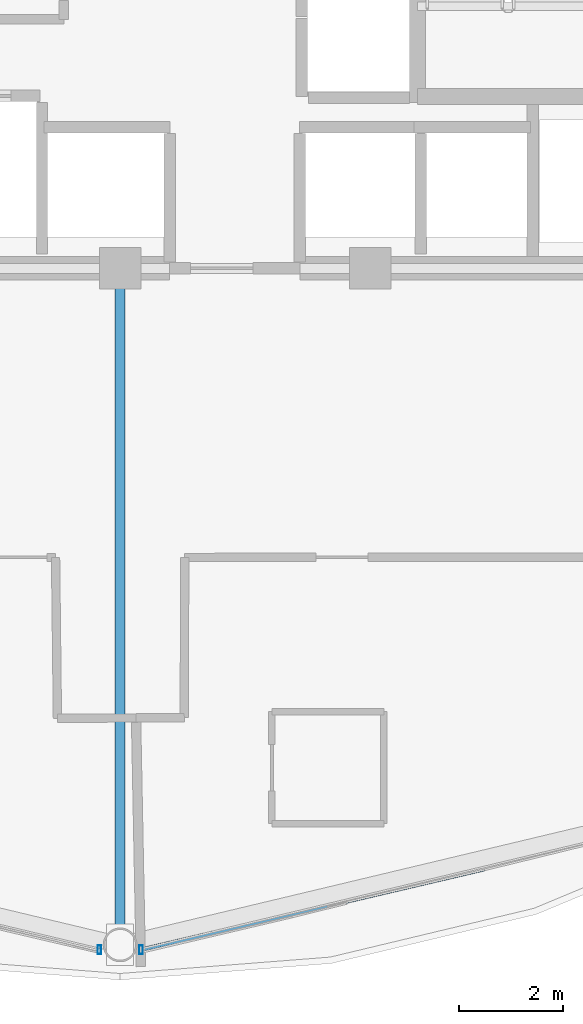
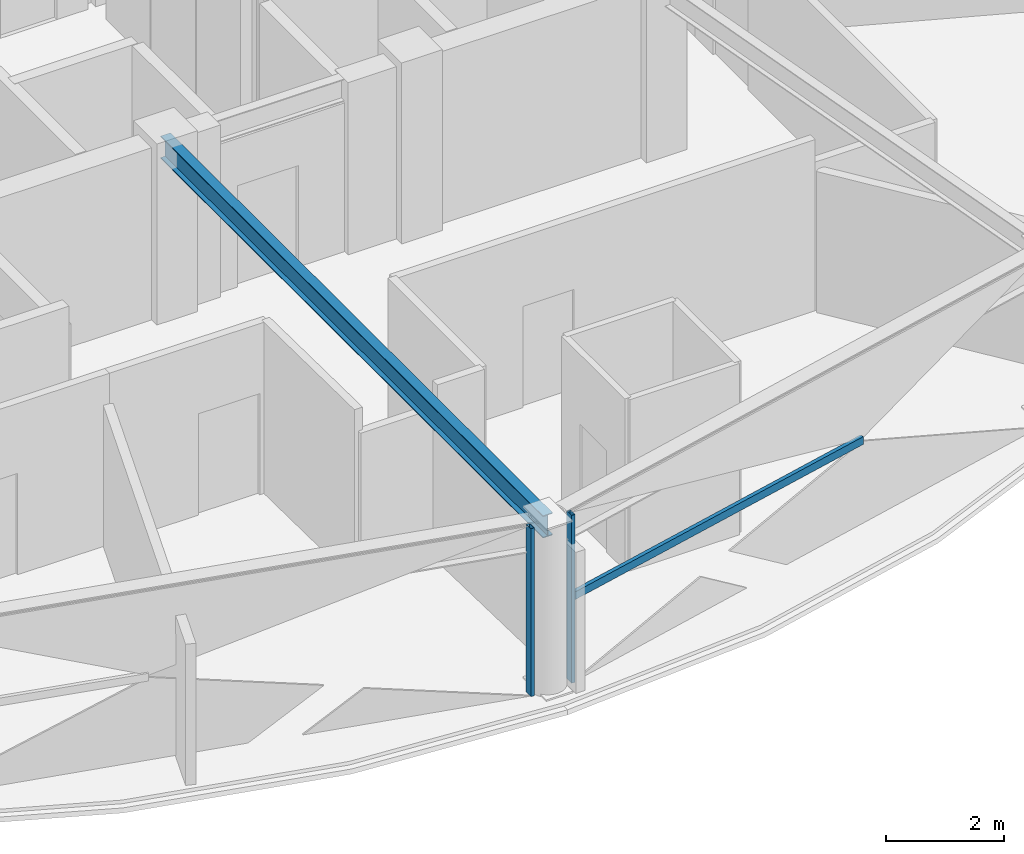
# One storey, part 5 of 30: 3 members, 1 beam, 2 elements without a shape of their own.
"""IFC4 building model written with IfcOpenShell, lengths in metres."""

from ifc_helpers import new_model, si_unit, direction, frame, origin, origin_2d, place, context, subcontext, project, spatial, hollow_rectangle, i_section, extrude, material, layer, layer_set, material_profile, profile_set, type_object, element, aggregate, save


model = new_model("IFC4")

# Units and contexts
model_context = context("Model", 3, precision=1e-05, world=origin(), true_north=direction((0.0, 1.0)))
body_context = subcontext(model_context, "Body", "Model", "MODEL_VIEW")
ifc_project = project(units=[si_unit("LENGTHUNIT", "METRE"), si_unit("AREAUNIT", "SQUARE_METRE"), si_unit("VOLUMEUNIT", "CUBIC_METRE"), si_unit("PLANEANGLEUNIT", "RADIAN"), si_unit("MASSUNIT", "GRAM", prefix="KILO")], contexts=[model_context])

# Site, building, storey
site_placement = place(None, origin())
site = spatial("IfcSite", under=ifc_project, at=site_placement, CompositionType="ELEMENT")
building_placement = place(site_placement, origin())
building = spatial("IfcBuilding", under=site, at=building_placement, Name="Vantalir Tower", CompositionType="ELEMENT")
storey_placement = place(building_placement, frame((0.0, 0.0, 186.14990234375)))
storey = spatial("IfcBuildingStorey", under=building, at=storey_placement, Name="L46", CompositionType="ELEMENT", Elevation=186.14990234375)

# Beam
ifc_material_1 = material(Name="Steel S355", Category="steel")
ifc_material_profile_1 = material_profile(ifc_material_1, i_section(OverallWidth=0.19189453125, OverallDepth=0.462890625, WebThickness=0.010498046875, FlangeThickness=0.017578125, at=origin_2d()), Name="Steel S355")
ifc_profile_set_1 = profile_set([ifc_material_profile_1], Name="Steel S355")
beam_type = type_object("IfcBeamType", Name="BM-RB-457x191", PredefinedType="BEAM", material=ifc_profile_set_1)
beam_placement = place(storey_placement, frame((31.5, 4.81201171875, 3.338134765625), z_axis=(0.0, 1.0, 0.0), x_axis=(-1.0, 0.0, 0.0)))
element("IfcBeam", 1, at=beam_placement, inside=storey, type_object=beam_type, Name="L46 Radial Floor Beam 10", PredefinedType="BEAM", context=body_context, shape_type="SweptSolid", body=[
    extrude(i_section(OverallWidth=0.19189453125, OverallDepth=0.462890625, WebThickness=0.010498046875, FlangeThickness=0.017578125, at=origin_2d()), origin(), (0.0, 0.0, 1.0), 12.988037109375),
])

# Curtain wall, member
ifc_material_2 = material(Name="Champagne-silver PVDF aluminium and double-silver Low-E glass", Category="aluminium")
ifc_layer = layer(ifc_material_2, 0.2099609375)
ifc_layer_set = layer_set([ifc_layer], Name="Champagne-silver PVDF aluminium and double-silver Low-E glass")
curtain_wall_type = type_object("IfcCurtainWallType", Name="CW-DIAMOND-Z3", PredefinedType="USERDEFINED", material=ifc_layer_set)
curtain_wall_1_placement = place(storey_placement, origin())
curtain_wall_1 = element("IfcCurtainWall", 2, at=curtain_wall_1_placement, inside=storey, type_object=curtain_wall_type, Name="L46 Quilted Pyramid-Diamond Curtain Wall S09", ObjectType="UNITISED CURTAIN WALL", PredefinedType="USERDEFINED")
ifc_material_3 = material(Name="Champagne-silver PVDF aluminium 6063-T6", Category="aluminium")
ifc_material_profile_2 = material_profile(ifc_material_3, hollow_rectangle(XDim=0.070068359375, YDim=0.1650390625, WallThickness=0.00390625, at=origin_2d()), Name="Champagne-silver PVDF aluminium 6063-T6")
ifc_profile_set_2 = profile_set([ifc_material_profile_2], Name="Champagne-silver PVDF aluminium 6063-T6")
member_type_1 = type_object("IfcMemberType", Name="CWM-165x70", PredefinedType="MULLION", material=ifc_profile_set_2)
member_1_placement = place(storey_placement, frame((31.10107421875, 4.717041015625, 0.045166015625), z_axis=(0.0, 0.0, 1.0), x_axis=(1.0, 0.0, 0.0)))
member_1 = element("IfcMember", 3, at=member_1_placement, type_object=member_type_1, Name="CW-L46-S09 Mullion 2", PredefinedType="MULLION", context=body_context, shape_type="SweptSolid", body=[
    extrude(hollow_rectangle(XDim=0.070068359375, YDim=0.1650390625, WallThickness=0.00390625, at=origin_2d()), origin(), (0.0, 0.0, 1.0), 3.47998046875),
])
aggregate(curtain_wall_1, [member_1])

# Curtain wall, members
curtain_wall_2_placement = place(storey_placement, origin())
curtain_wall_2 = element("IfcCurtainWall", 4, at=curtain_wall_2_placement, inside=storey, type_object=curtain_wall_type, Name="L46 Quilted Pyramid-Diamond Curtain Wall S10", ObjectType="UNITISED CURTAIN WALL", PredefinedType="USERDEFINED")
member_2_placement = place(storey_placement, frame((31.89892578125, 4.717041015625, 0.045166015625), z_axis=(0.0, 0.0, 1.0), x_axis=(1.0, 0.0, 0.0)))
member_2 = element("IfcMember", 5, at=member_2_placement, type_object=member_type_1, Name="CW-L46-S10 Mullion 1", PredefinedType="MULLION", context=body_context, shape_type="SweptSolid", body=[
    extrude(hollow_rectangle(XDim=0.070068359375, YDim=0.1650390625, WallThickness=0.00390625, at=origin_2d()), origin(), (0.0, 0.0, 1.0), 3.47998046875),
])
ifc_material_profile_3 = material_profile(ifc_material_3, hollow_rectangle(XDim=0.074951171875, YDim=0.159912109375, WallThickness=0.00390625, at=origin_2d()), Name="Champagne-silver PVDF aluminium 6063-T6")
ifc_profile_set_3 = profile_set([ifc_material_profile_3], Name="Champagne-silver PVDF aluminium 6063-T6")
member_type_2 = type_object("IfcMemberType", Name="CWT-160x75", PredefinedType="USERDEFINED", material=ifc_profile_set_3)
member_3_placement = place(storey_placement, frame((31.89892578125, 4.717041015625, 1.78515625), z_axis=(0.97346388674, 0.228840689594, 0.0), x_axis=(-0.228840689594, 0.97346388674, 0.0)))
member_3 = element("IfcMember", 6, at=member_3_placement, type_object=member_type_2, Name="CW-L46-S10 Pyramid Fold Ridge Transom", ObjectType="TRANSOM", PredefinedType="USERDEFINED", context=body_context, shape_type="SweptSolid", body=[
    extrude(hollow_rectangle(XDim=0.074951171875, YDim=0.159912109375, WallThickness=0.00390625, at=origin_2d()), origin(), (0.0, 0.0, 1.0), 6.781982421875),
])
aggregate(curtain_wall_2, [member_2, member_3])

save(model, "model.ifc")
